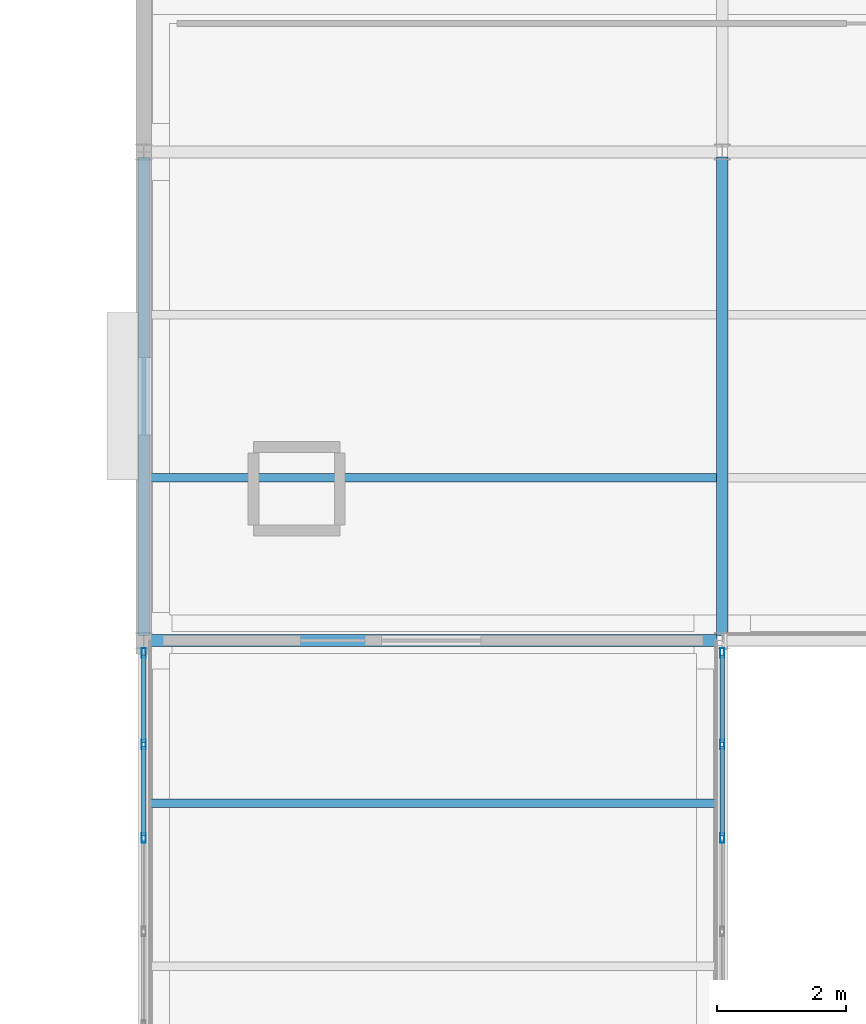
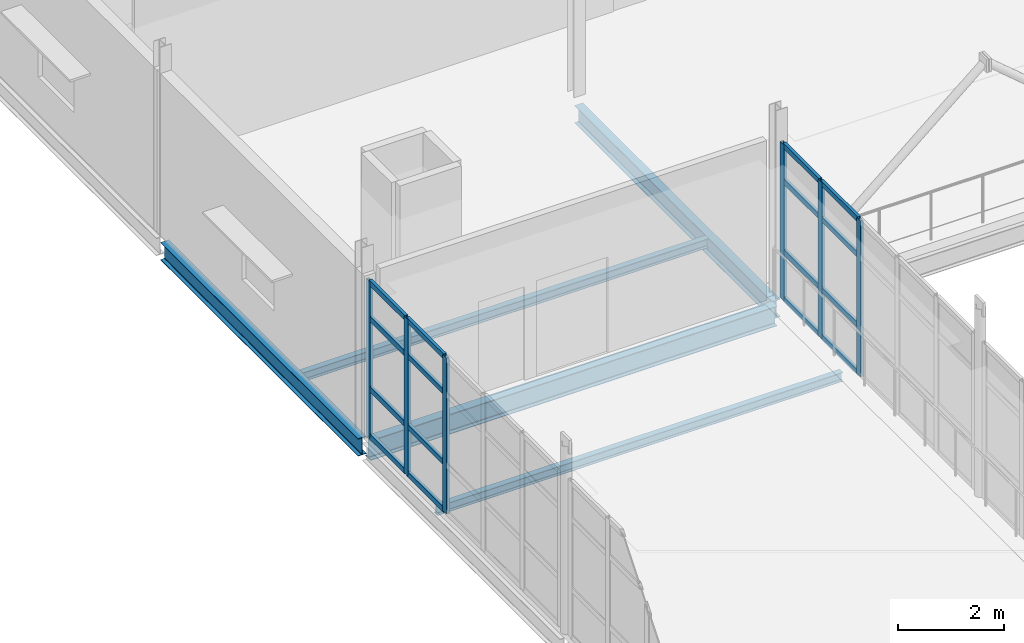
# One storey, part 77 of 166: 22 members, 5 beams, 2 elements without a shape of their own.
"""IFC4 building model written with IfcOpenShell, lengths in metres."""

from ifc_helpers import new_model, si_unit, direction, frame, origin, origin_2d, place, context, subcontext, project, spatial, hollow_rectangle, i_section, extrude, material, material_profile, profile_set, type_object, element, aggregate, save


model = new_model("IFC4")

# Units and contexts
model_context = context("Model", 3, precision=1e-05, world=origin(), true_north=direction((0.0, 1.0)))
body_context = subcontext(model_context, "Body", "Model", "MODEL_VIEW")
ifc_project = project(units=[si_unit("LENGTHUNIT", "METRE"), si_unit("AREAUNIT", "SQUARE_METRE"), si_unit("VOLUMEUNIT", "CUBIC_METRE"), si_unit("PLANEANGLEUNIT", "RADIAN"), si_unit("MASSUNIT", "GRAM", prefix="KILO")], contexts=[model_context])

# Site, building, storey
site_placement = place(None, origin())
site = spatial("IfcSite", under=ifc_project, at=site_placement, CompositionType="ELEMENT")
building_placement = place(site_placement, origin())
building = spatial("IfcBuilding", under=site, at=building_placement, Name="Caisbarro Railhouse Central Library", CompositionType="ELEMENT")
storey_placement = place(building_placement, frame((0.0, 0.0, 9.360107421875)))
storey = spatial("IfcBuildingStorey", under=building, at=storey_placement, Name="L02", CompositionType="ELEMENT", Elevation=9.360107421875)

# Beams
ifc_material_1 = material(Name="Steel ASTM A572 Grade 50", Category="steel")
ifc_material_profile_1 = material_profile(ifc_material_1, i_section(OverallWidth=0.177978515625, OverallDepth=0.406982421875, WebThickness=0.0078125, FlangeThickness=0.0126953125, FilletRadius=0.01611328125, at=origin_2d()), Name="W410X60.0")
ifc_profile_set_1 = profile_set([ifc_material_profile_1], Name="Steel ASTM A572 Grade 50")
beam_type_1 = type_object("IfcBeamType", Name="BM-G10", PredefinedType="BEAM", material=ifc_profile_set_1)
for number, where, z_axis, x_axis, name in (
    (1, (54.0, 83.679931640625, -0.403564453125), (0.0, 1.0, 0.0), (-1.0, 0.0, 0.0), "G10 beam L02 #1672"),
    (2, (63.0, 83.679931640625, -0.403564453125), (0.0, 1.0, 0.0), (-1.0, 0.0, 0.0), "G10 beam L02 #1675"),
):
    element("IfcBeam", number, at=place(storey_placement, frame(where, z_axis=z_axis, x_axis=x_axis)), inside=storey, type_object=beam_type_1, Name=name, PredefinedType="BEAM", context=body_context, shape_type="SweptSolid", body=[
        extrude(i_section(OverallWidth=0.177978515625, OverallDepth=0.406982421875, WebThickness=0.0078125, FlangeThickness=0.0126953125, FilletRadius=0.01611328125, at=origin_2d()), origin(), (0.0, 0.0, 1.0), 7.440185546875),
    ])
ifc_material_profile_2 = material_profile(ifc_material_1, i_section(OverallWidth=0.133056640625, OverallDepth=0.20703125, WebThickness=0.005859375, FlangeThickness=0.00830078125, FilletRadius=0.010009765625, at=origin_2d()), Name="W200X26.6")
ifc_profile_set_2 = profile_set([ifc_material_profile_2], Name="Steel ASTM A572 Grade 50")
beam_type_2 = type_object("IfcBeamType", Name="BM-J07", PredefinedType="JOIST", material=ifc_profile_set_2)
for number, where, z_axis, x_axis, name in (
    (3, (54.089111328125, 86.13330078125, -0.3037109375), (1.0, 0.0, 0.0), (0.0, 1.0, 0.0), "J07 beam L02 #1690"),
    (4, (54.089111328125, 81.066650390625, -0.3037109375), (1.0, 0.0, 0.0), (0.0, 1.0, 0.0), "J07 beam L02 #1731"),
):
    element("IfcBeam", number, at=place(storey_placement, frame(where, z_axis=z_axis, x_axis=x_axis)), inside=storey, type_object=beam_type_2, Name=name, PredefinedType="JOIST", context=body_context, shape_type="SweptSolid", body=[
        extrude(i_section(OverallWidth=0.133056640625, OverallDepth=0.20703125, WebThickness=0.005859375, FlangeThickness=0.00830078125, FilletRadius=0.010009765625, at=origin_2d()), origin(), (0.0, 0.0, 1.0), 8.82177734375),
    ])
ifc_material_profile_3 = material_profile(ifc_material_1, i_section(OverallWidth=0.18994140625, OverallDepth=0.45703125, WebThickness=0.009033203125, FlangeThickness=0.014404296875, FilletRadius=0.01806640625, at=origin_2d()), Name="W460X74.0")
ifc_profile_set_3 = profile_set([ifc_material_profile_3], Name="Steel ASTM A572 Grade 50")
beam_type_3 = type_object("IfcBeamType", Name="BM-SP01", PredefinedType="SPANDREL", material=ifc_profile_set_3)
beam_placement = place(storey_placement, frame((54.080078125, 83.60009765625, -0.4287109375), z_axis=(1.0, 0.0, 0.0), x_axis=(0.0, 1.0, 0.0)))
element("IfcBeam", 5, at=beam_placement, inside=storey, type_object=beam_type_3, Name="SP01 beam L02 #1652", PredefinedType="SPANDREL", context=body_context, shape_type="SweptSolid", body=[
    extrude(i_section(OverallWidth=0.18994140625, OverallDepth=0.45703125, WebThickness=0.009033203125, FlangeThickness=0.014404296875, FilletRadius=0.01806640625, at=origin_2d()), origin(), (0.0, 0.0, 1.0), 8.83984375),
])

# Curtain wall, members
ifc_material_2 = material(Name="Anodised architectural aluminium", Category="aluminium")
curtain_wall_type = type_object("IfcCurtainWallType", Name="CW-CW03", PredefinedType="NOTDEFINED", material=ifc_material_2)
curtain_wall_1_placement = place(storey_placement, origin())
curtain_wall_1 = element("IfcCurtainWall", 6, at=curtain_wall_1_placement, inside=storey, type_object=curtain_wall_type, Name="CW03 curtain wall L02 #206", PredefinedType="NOTDEFINED")
ifc_material_profile_4 = material_profile(ifc_material_2, hollow_rectangle(XDim=0.06494140625, YDim=0.14990234375, WallThickness=0.00390625, at=origin_2d()), Name="ALU-MUL-65X150")
ifc_profile_set_4 = profile_set([ifc_material_profile_4], Name="Anodised architectural aluminium")
member_type_1 = type_object("IfcMemberType", Name="CWM-M02", PredefinedType="MULLION", material=ifc_profile_set_4)
member_1_placement = place(storey_placement, frame((54.0, 80.528076171875, 0.0), z_axis=(0.0, 0.0, 1.0), x_axis=(-1.0, 0.0, 0.0)))
member_1 = element("IfcMember", 7, at=member_1_placement, type_object=member_type_1, Name="CW03 mullion 4", PredefinedType="MULLION", context=body_context, shape_type="SweptSolid", body=[
    extrude(hollow_rectangle(XDim=0.06494140625, YDim=0.14990234375, WallThickness=0.00390625, at=origin_2d()), origin(), (0.0, 0.0, 1.0), 3.58984375),
])
member_2_placement = place(storey_placement, frame((54.0, 81.98388671875, 0.0), z_axis=(0.0, 0.0, 1.0), x_axis=(-1.0, 0.0, 0.0)))
member_2 = element("IfcMember", 8, at=member_2_placement, type_object=member_type_1, Name="CW03 mullion 5", PredefinedType="MULLION", context=body_context, shape_type="SweptSolid", body=[
    extrude(hollow_rectangle(XDim=0.06494140625, YDim=0.14990234375, WallThickness=0.00390625, at=origin_2d()), origin(), (0.0, 0.0, 1.0), 3.58984375),
])
member_3_placement = place(storey_placement, frame((54.0, 83.407470703125, 0.0), z_axis=(0.0, 0.0, 1.0), x_axis=(-1.0, 0.0, 0.0)))
member_3 = element("IfcMember", 9, at=member_3_placement, type_object=member_type_1, Name="CW03 mullion 6", PredefinedType="MULLION", context=body_context, shape_type="SweptSolid", body=[
    extrude(hollow_rectangle(XDim=0.06494140625, YDim=0.14990234375, WallThickness=0.00390625, at=origin_2d()), origin(), (0.0, 0.0, 1.0), 3.58984375),
])

curtain_wall_2_placement = place(storey_placement, origin())
curtain_wall_2 = element("IfcCurtainWall", 10, at=curtain_wall_2_placement, inside=storey, type_object=curtain_wall_type, Name="CW03 curtain wall L02 #207", PredefinedType="NOTDEFINED")
member_4_placement = place(storey_placement, frame((63.0, 80.528076171875, 0.0), z_axis=(0.0, 0.0, 1.0), x_axis=(-1.0, 0.0, 0.0)))
member_4 = element("IfcMember", 11, at=member_4_placement, type_object=member_type_1, Name="CW03 mullion 4", PredefinedType="MULLION", context=body_context, shape_type="SweptSolid", body=[
    extrude(hollow_rectangle(XDim=0.06494140625, YDim=0.14990234375, WallThickness=0.00390625, at=origin_2d()), origin(), (0.0, 0.0, 1.0), 3.58984375),
])
member_5_placement = place(storey_placement, frame((63.0, 81.98388671875, 0.0), z_axis=(0.0, 0.0, 1.0), x_axis=(-1.0, 0.0, 0.0)))
member_5 = element("IfcMember", 12, at=member_5_placement, type_object=member_type_1, Name="CW03 mullion 5", PredefinedType="MULLION", context=body_context, shape_type="SweptSolid", body=[
    extrude(hollow_rectangle(XDim=0.06494140625, YDim=0.14990234375, WallThickness=0.00390625, at=origin_2d()), origin(), (0.0, 0.0, 1.0), 3.58984375),
])
member_6_placement = place(storey_placement, frame((63.0, 83.407470703125, 0.0), z_axis=(0.0, 0.0, 1.0), x_axis=(-1.0, 0.0, 0.0)))
member_6 = element("IfcMember", 13, at=member_6_placement, type_object=member_type_1, Name="CW03 mullion 6", PredefinedType="MULLION", context=body_context, shape_type="SweptSolid", body=[
    extrude(hollow_rectangle(XDim=0.06494140625, YDim=0.14990234375, WallThickness=0.00390625, at=origin_2d()), origin(), (0.0, 0.0, 1.0), 3.58984375),
])

# Member
ifc_material_profile_5 = material_profile(ifc_material_2, hollow_rectangle(XDim=0.06494140625, YDim=0.1201171875, WallThickness=0.00341796875, at=origin_2d()), Name="ALU-TRN-65X120")
ifc_profile_set_5 = profile_set([ifc_material_profile_5], Name="Anodised architectural aluminium")
member_type_2 = type_object("IfcMemberType", Name="CWT-T02", PredefinedType="USERDEFINED", material=ifc_profile_set_5)
member_7_placement = place(storey_placement, frame((54.0, 80.560546875, 0.032470703125), z_axis=(0.0, 1.0, 0.0), x_axis=(-1.0, 0.0, 0.0)))
member_7 = element("IfcMember", 14, at=member_7_placement, type_object=member_type_2, Name="CW03 transom 4.1", ObjectType="TRANSOM", PredefinedType="USERDEFINED", context=body_context, shape_type="SweptSolid", body=[
    extrude(hollow_rectangle(XDim=0.06494140625, YDim=0.1201171875, WallThickness=0.00341796875, at=origin_2d()), origin(), (0.0, 0.0, 1.0), 1.390869140625),
])

member_8_placement = place(storey_placement, frame((54.0, 80.560546875, 1.119873046875), z_axis=(0.0, 1.0, 0.0), x_axis=(-1.0, 0.0, 0.0)))
member_8 = element("IfcMember", 15, at=member_8_placement, type_object=member_type_2, Name="CW03 transom 4.2", ObjectType="TRANSOM", PredefinedType="USERDEFINED", context=body_context, shape_type="SweptSolid", body=[
    extrude(hollow_rectangle(XDim=0.06494140625, YDim=0.1201171875, WallThickness=0.00341796875, at=origin_2d()), origin(), (0.0, 0.0, 1.0), 1.390869140625),
])

member_9_placement = place(storey_placement, frame((54.0, 80.560546875, 2.739990234375), z_axis=(0.0, 1.0, 0.0), x_axis=(-1.0, 0.0, 0.0)))
member_9 = element("IfcMember", 16, at=member_9_placement, type_object=member_type_2, Name="CW03 transom 4.3", ObjectType="TRANSOM", PredefinedType="USERDEFINED", context=body_context, shape_type="SweptSolid", body=[
    extrude(hollow_rectangle(XDim=0.06494140625, YDim=0.1201171875, WallThickness=0.00341796875, at=origin_2d()), origin(), (0.0, 0.0, 1.0), 1.390869140625),
])

member_10_placement = place(storey_placement, frame((54.0, 80.560546875, 3.557373046875), z_axis=(0.0, 1.0, 0.0), x_axis=(-1.0, 0.0, 0.0)))
member_10 = element("IfcMember", 17, at=member_10_placement, type_object=member_type_2, Name="CW03 transom 4.4", ObjectType="TRANSOM", PredefinedType="USERDEFINED", context=body_context, shape_type="SweptSolid", body=[
    extrude(hollow_rectangle(XDim=0.06494140625, YDim=0.1201171875, WallThickness=0.00341796875, at=origin_2d()), origin(), (0.0, 0.0, 1.0), 1.390869140625),
])

member_11_placement = place(storey_placement, frame((54.0, 82.0166015625, 0.032470703125), z_axis=(0.0, 1.0, 0.0), x_axis=(-1.0, 0.0, 0.0)))
member_11 = element("IfcMember", 18, at=member_11_placement, type_object=member_type_2, Name="CW03 transom 5.1", ObjectType="TRANSOM", PredefinedType="USERDEFINED", context=body_context, shape_type="SweptSolid", body=[
    extrude(hollow_rectangle(XDim=0.06494140625, YDim=0.1201171875, WallThickness=0.00341796875, at=origin_2d()), origin(), (0.0, 0.0, 1.0), 1.3583984375),
])

member_12_placement = place(storey_placement, frame((54.0, 82.0166015625, 1.119873046875), z_axis=(0.0, 1.0, 0.0), x_axis=(-1.0, 0.0, 0.0)))
member_12 = element("IfcMember", 19, at=member_12_placement, type_object=member_type_2, Name="CW03 transom 5.2", ObjectType="TRANSOM", PredefinedType="USERDEFINED", context=body_context, shape_type="SweptSolid", body=[
    extrude(hollow_rectangle(XDim=0.06494140625, YDim=0.1201171875, WallThickness=0.00341796875, at=origin_2d()), origin(), (0.0, 0.0, 1.0), 1.3583984375),
])

member_13_placement = place(storey_placement, frame((54.0, 82.0166015625, 2.739990234375), z_axis=(0.0, 1.0, 0.0), x_axis=(-1.0, 0.0, 0.0)))
member_13 = element("IfcMember", 20, at=member_13_placement, type_object=member_type_2, Name="CW03 transom 5.3", ObjectType="TRANSOM", PredefinedType="USERDEFINED", context=body_context, shape_type="SweptSolid", body=[
    extrude(hollow_rectangle(XDim=0.06494140625, YDim=0.1201171875, WallThickness=0.00341796875, at=origin_2d()), origin(), (0.0, 0.0, 1.0), 1.3583984375),
])

member_14_placement = place(storey_placement, frame((54.0, 82.0166015625, 3.557373046875), z_axis=(0.0, 1.0, 0.0), x_axis=(-1.0, 0.0, 0.0)))
member_14 = element("IfcMember", 21, at=member_14_placement, type_object=member_type_2, Name="CW03 transom 5.4", ObjectType="TRANSOM", PredefinedType="USERDEFINED", context=body_context, shape_type="SweptSolid", body=[
    extrude(hollow_rectangle(XDim=0.06494140625, YDim=0.1201171875, WallThickness=0.00341796875, at=origin_2d()), origin(), (0.0, 0.0, 1.0), 1.3583984375),
])

aggregate(curtain_wall_1, [member_1, member_2, member_3, member_7, member_8, member_9, member_10, member_11, member_12, member_13, member_14])

member_15_placement = place(storey_placement, frame((63.0, 80.560546875, 0.032470703125), z_axis=(0.0, 1.0, 0.0), x_axis=(-1.0, 0.0, 0.0)))
member_15 = element("IfcMember", 22, at=member_15_placement, type_object=member_type_2, Name="CW03 transom 4.1", ObjectType="TRANSOM", PredefinedType="USERDEFINED", context=body_context, shape_type="SweptSolid", body=[
    extrude(hollow_rectangle(XDim=0.06494140625, YDim=0.1201171875, WallThickness=0.00341796875, at=origin_2d()), origin(), (0.0, 0.0, 1.0), 1.390869140625),
])

member_16_placement = place(storey_placement, frame((63.0, 80.560546875, 1.119873046875), z_axis=(0.0, 1.0, 0.0), x_axis=(-1.0, 0.0, 0.0)))
member_16 = element("IfcMember", 23, at=member_16_placement, type_object=member_type_2, Name="CW03 transom 4.2", ObjectType="TRANSOM", PredefinedType="USERDEFINED", context=body_context, shape_type="SweptSolid", body=[
    extrude(hollow_rectangle(XDim=0.06494140625, YDim=0.1201171875, WallThickness=0.00341796875, at=origin_2d()), origin(), (0.0, 0.0, 1.0), 1.390869140625),
])

member_17_placement = place(storey_placement, frame((63.0, 80.560546875, 2.739990234375), z_axis=(0.0, 1.0, 0.0), x_axis=(-1.0, 0.0, 0.0)))
member_17 = element("IfcMember", 24, at=member_17_placement, type_object=member_type_2, Name="CW03 transom 4.3", ObjectType="TRANSOM", PredefinedType="USERDEFINED", context=body_context, shape_type="SweptSolid", body=[
    extrude(hollow_rectangle(XDim=0.06494140625, YDim=0.1201171875, WallThickness=0.00341796875, at=origin_2d()), origin(), (0.0, 0.0, 1.0), 1.390869140625),
])

member_18_placement = place(storey_placement, frame((63.0, 80.560546875, 3.557373046875), z_axis=(0.0, 1.0, 0.0), x_axis=(-1.0, 0.0, 0.0)))
member_18 = element("IfcMember", 25, at=member_18_placement, type_object=member_type_2, Name="CW03 transom 4.4", ObjectType="TRANSOM", PredefinedType="USERDEFINED", context=body_context, shape_type="SweptSolid", body=[
    extrude(hollow_rectangle(XDim=0.06494140625, YDim=0.1201171875, WallThickness=0.00341796875, at=origin_2d()), origin(), (0.0, 0.0, 1.0), 1.390869140625),
])

member_19_placement = place(storey_placement, frame((63.0, 82.0166015625, 0.032470703125), z_axis=(0.0, 1.0, 0.0), x_axis=(-1.0, 0.0, 0.0)))
member_19 = element("IfcMember", 26, at=member_19_placement, type_object=member_type_2, Name="CW03 transom 5.1", ObjectType="TRANSOM", PredefinedType="USERDEFINED", context=body_context, shape_type="SweptSolid", body=[
    extrude(hollow_rectangle(XDim=0.06494140625, YDim=0.1201171875, WallThickness=0.00341796875, at=origin_2d()), origin(), (0.0, 0.0, 1.0), 1.3583984375),
])

member_20_placement = place(storey_placement, frame((63.0, 82.0166015625, 1.119873046875), z_axis=(0.0, 1.0, 0.0), x_axis=(-1.0, 0.0, 0.0)))
member_20 = element("IfcMember", 27, at=member_20_placement, type_object=member_type_2, Name="CW03 transom 5.2", ObjectType="TRANSOM", PredefinedType="USERDEFINED", context=body_context, shape_type="SweptSolid", body=[
    extrude(hollow_rectangle(XDim=0.06494140625, YDim=0.1201171875, WallThickness=0.00341796875, at=origin_2d()), origin(), (0.0, 0.0, 1.0), 1.3583984375),
])

member_21_placement = place(storey_placement, frame((63.0, 82.0166015625, 2.739990234375), z_axis=(0.0, 1.0, 0.0), x_axis=(-1.0, 0.0, 0.0)))
member_21 = element("IfcMember", 28, at=member_21_placement, type_object=member_type_2, Name="CW03 transom 5.3", ObjectType="TRANSOM", PredefinedType="USERDEFINED", context=body_context, shape_type="SweptSolid", body=[
    extrude(hollow_rectangle(XDim=0.06494140625, YDim=0.1201171875, WallThickness=0.00341796875, at=origin_2d()), origin(), (0.0, 0.0, 1.0), 1.3583984375),
])

member_22_placement = place(storey_placement, frame((63.0, 82.0166015625, 3.557373046875), z_axis=(0.0, 1.0, 0.0), x_axis=(-1.0, 0.0, 0.0)))
member_22 = element("IfcMember", 29, at=member_22_placement, type_object=member_type_2, Name="CW03 transom 5.4", ObjectType="TRANSOM", PredefinedType="USERDEFINED", context=body_context, shape_type="SweptSolid", body=[
    extrude(hollow_rectangle(XDim=0.06494140625, YDim=0.1201171875, WallThickness=0.00341796875, at=origin_2d()), origin(), (0.0, 0.0, 1.0), 1.3583984375),
])

aggregate(curtain_wall_2, [member_4, member_5, member_6, member_15, member_16, member_17, member_18, member_19, member_20, member_21, member_22])

save(model, "model.ifc")
